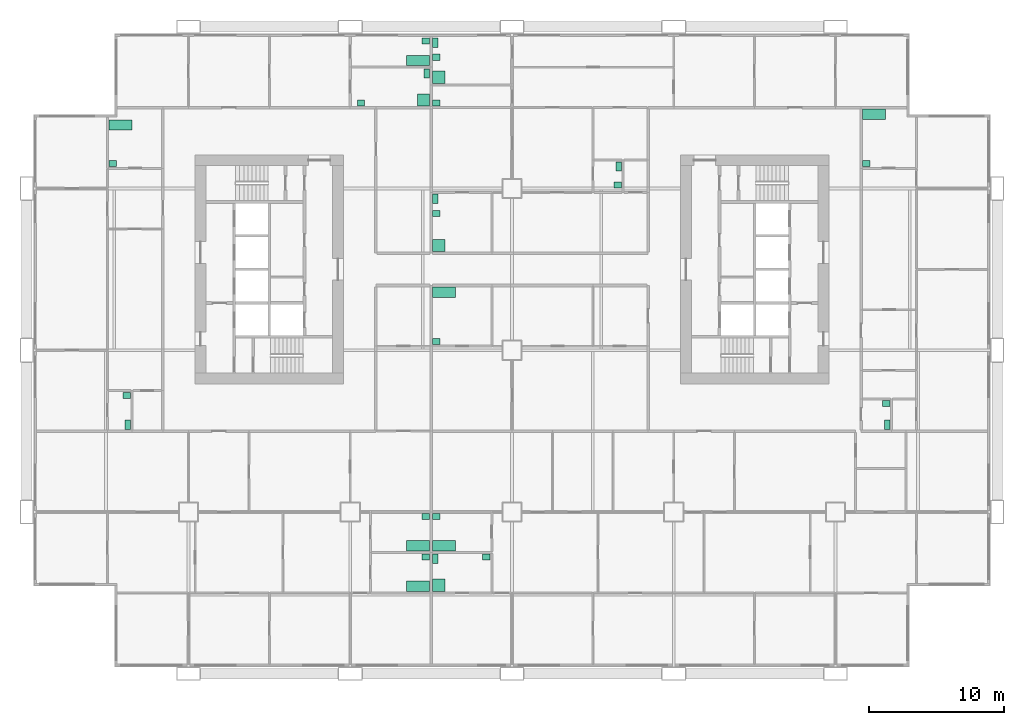
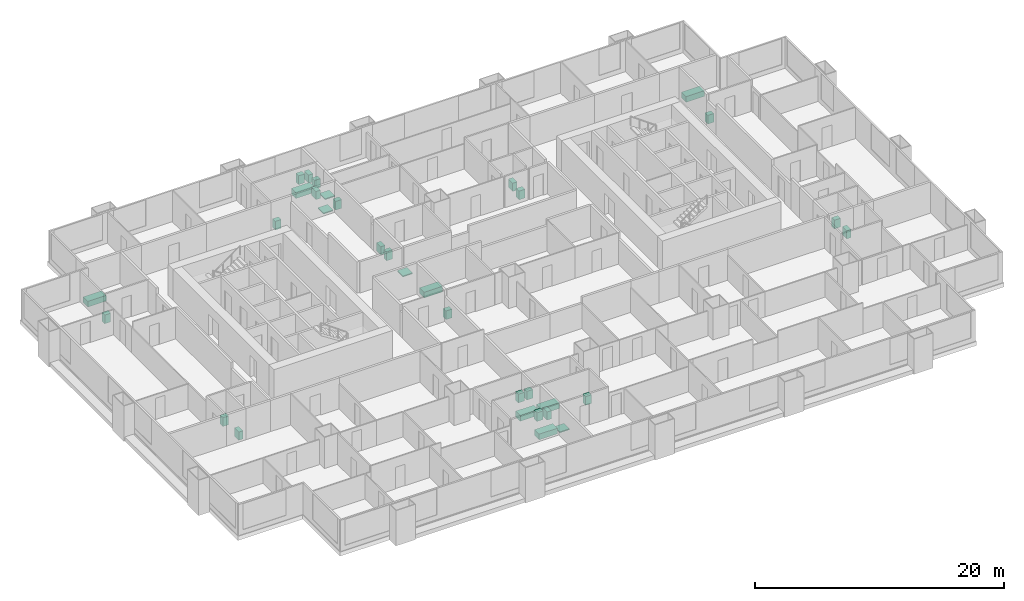
# One storey, part 13 of 13: 33 sanitary terminals.
"""IFC4 building model written with IfcOpenShell, lengths in metres."""

from ifc_helpers import new_model, si_unit, direction, frame, origin, origin_2d, place, context, subcontext, project, spatial, rectangle, extrude, material, type_object, element, save


model = new_model("IFC4")

# Units and contexts
model_context = context("Model", 3, precision=1e-05, world=origin(), true_north=direction((0.0, 1.0)))
body_context = subcontext(model_context, "Body", "Model", "MODEL_VIEW")
ifc_project = project(units=[si_unit("LENGTHUNIT", "METRE"), si_unit("AREAUNIT", "SQUARE_METRE"), si_unit("VOLUMEUNIT", "CUBIC_METRE"), si_unit("PLANEANGLEUNIT", "RADIAN"), si_unit("MASSUNIT", "GRAM", prefix="KILO")], contexts=[model_context])

# Site, building, storey
site_placement = place(None, origin())
site = spatial("IfcSite", under=ifc_project, at=site_placement, CompositionType="ELEMENT")
building_placement = place(site_placement, origin())
building = spatial("IfcBuilding", under=site, at=building_placement, Name="Kitamizu Gate Tower and Museum", CompositionType="ELEMENT")
storey_placement = place(building_placement, frame((0.0, 0.0, 40.35009765625)))
storey = spatial("IfcBuildingStorey", under=building, at=storey_placement, Name="L08", CompositionType="ELEMENT", Elevation=40.35009765625)

# Sanitary terminals
ifc_material_1 = material(Name="Acrylic")
sanitary_terminal_type_1 = type_object("IfcSanitaryTerminalType", Name="Bath", PredefinedType="BATH", material=ifc_material_1)
for number, where, z_axis, x_axis, name in (
    (1, (29.030029296875, 6.4951171875, 0.0009765625), (0.0, 0.0, 1.0), (1.0, 0.0, 0.0), "Bath Bathroom and WC 08A"),
    (2, (29.030029296875, 9.4951171875, 0.0009765625), (0.0, 0.0, 1.0), (1.0, 0.0, 0.0), "Bath Bathroom 08A"),
    (3, (30.969970703125, 9.4951171875, 0.0009765625), (0.0, 0.0, 1.0), (1.0, 0.0, 0.0), "Bath Bathroom 08B"),
    (4, (30.969970703125, 28.304931640625, 0.0009765625), (0.0, 0.0, 1.0), (1.0, 0.0, 0.0), "Bath Bathroom and WC 08C"),
    (5, (29.030029296875, 45.4951171875, 0.0009765625), (0.0, 0.0, 1.0), (1.0, 0.0, 0.0), "Bath Bathroom 08D"),
    (6, (6.969970703125, 40.705078125, 0.0009765625), (0.0, 0.0, 1.0), (1.0, 0.0, 0.0), "Bath Bathroom 08F"),
    (7, (62.8701171875, 41.5048828125, 0.0009765625), (0.0, 0.0, 1.0), (1.0, 0.0, 0.0), "Bath Bathroom 08H"),
):
    element("IfcSanitaryTerminal", number, at=place(storey_placement, frame(where, z_axis=z_axis, x_axis=x_axis)), inside=storey, type_object=sanitary_terminal_type_1, Name=name, PredefinedType="BATH", context=body_context, shape_type="SweptSolid", body=[
        extrude(rectangle(XDim=1.699951171875, YDim=0.75, at=origin_2d()), origin(), (0.0, 0.0, 1.0), 0.550048828125),
    ])
ifc_material_2 = material(Name="Acrylic")
sanitary_terminal_type_2 = type_object("IfcSanitaryTerminalType", Name="Shower tray", PredefinedType="SHOWER", material=ifc_material_2)
for number, where, z_axis, x_axis, name in (
    (8, (30.570068359375, 6.570068359375, 0.000732421875), (0.0, 0.0, 1.0), (1.0, 0.0, 0.0), "Shower tray En-suite bathroom and WC 08B"),
    (9, (29.429931640625, 42.570068359375, 0.000732421875), (0.0, 0.0, 1.0), (1.0, 0.0, 0.0), "Shower tray En-suite bathroom and WC 08D"),
    (10, (30.570068359375, 44.25, 0.000732421875), (0.0, 0.0, 1.0), (1.0, 0.0, 0.0), "Shower tray En-suite bathroom 08G"),
    (11, (30.570068359375, 31.77001953125, 0.000732421875), (0.0, 0.0, 1.0), (1.0, 0.0, 0.0), "Shower tray En-suite bathroom 08G"),
):
    element("IfcSanitaryTerminal", number, at=place(storey_placement, frame(where, z_axis=z_axis, x_axis=x_axis)), inside=storey, type_object=sanitary_terminal_type_2, Name=name, PredefinedType="SHOWER", context=body_context, shape_type="SweptSolid", body=[
        extrude(rectangle(XDim=0.89990234375, YDim=0.89990234375, at=origin_2d()), origin(), (0.0, 0.0, 1.0), 0.10009765625),
    ])
ifc_material_3 = material(Name="Vitreous china")
sanitary_terminal_type_3 = type_object("IfcSanitaryTerminalType", Name="Wash hand basin", PredefinedType="WASHHANDBASIN", material=ifc_material_3)
for number, where, z_axis, x_axis, name in (
    (12, (29.60498046875, 8.655029296875, 0.000732421875), (0.0, 0.0, 1.0), (1.0, 0.0, 0.0), "Wash hand basin Bathroom and WC 08A"),
    (13, (29.60498046875, 11.655029296875, 0.000732421875), (0.0, 0.0, 1.0), (1.0, 0.0, 0.0), "Wash hand basin Bathroom 08A"),
    (14, (34.10498046875, 8.655029296875, 0.000732421875), (0.0, 0.0, 1.0), (1.0, 0.0, 0.0), "Wash hand basin En-suite bathroom and WC 08B"),
    (15, (30.39501953125, 11.655029296875, 0.000732421875), (0.0, 0.0, 1.0), (1.0, 0.0, 0.0), "Wash hand basin Bathroom 08B"),
    (16, (30.39501953125, 24.64501953125, 0.000732421875), (0.0, 0.0, 1.0), (1.0, 0.0, 0.0), "Wash hand basin Bathroom and WC 08C"),
    (17, (24.794921875, 42.344970703125, 0.000732421875), (0.0, 0.0, 1.0), (1.0, 0.0, 0.0), "Wash hand basin En-suite bathroom and WC 08D"),
    (18, (29.60498046875, 46.93505859375, 0.000732421875), (0.0, 0.0, 1.0), (1.0, 0.0, 0.0), "Wash hand basin Bathroom 08D"),
    (19, (7.405029296875, 20.655029296875, 0.000732421875), (0.0, 0.0, 1.0), (1.0, 0.0, 0.0), "Wash hand basin WC 08F"),
    (20, (6.39501953125, 37.844970703125, 0.000732421875), (0.0, 0.0, 1.0), (1.0, 0.0, 0.0), "Wash hand basin Bathroom 08F"),
    (21, (30.39501953125, 45.735107421875, 0.000732421875), (0.0, 0.0, 1.0), (1.0, 0.0, 0.0), "Wash hand basin En-suite bathroom 08G"),
    (22, (30.39501953125, 42.344970703125, 0.000732421875), (0.0, 0.0, 1.0), (1.0, 0.0, 0.0), "Wash hand basin Wash room 08G"),
    (23, (43.85498046875, 36.2451171875, 0.000732421875), (0.0, 0.0, 1.0), (1.0, 0.0, 0.0), "Wash hand basin WC 08G"),
    (24, (30.39501953125, 34.155029296875, 0.000732421875), (0.0, 0.0, 1.0), (1.0, 0.0, 0.0), "Wash hand basin En-suite bathroom 08G"),
    (25, (63.7548828125, 20.054931640625, 0.000732421875), (0.0, 0.0, 1.0), (1.0, 0.0, 0.0), "Wash hand basin WC 08H"),
    (26, (62.294921875, 37.844970703125, 0.000732421875), (0.0, 0.0, 1.0), (1.0, 0.0, 0.0), "Wash hand basin Bathroom 08H"),
):
    element("IfcSanitaryTerminal", number, at=place(storey_placement, frame(where, z_axis=z_axis, x_axis=x_axis)), inside=storey, type_object=sanitary_terminal_type_3, Name=name, PredefinedType="WASHHANDBASIN", context=body_context, shape_type="SweptSolid", body=[
        extrude(rectangle(XDim=0.550048828125, YDim=0.449951171875, at=origin_2d()), origin(), (0.0, 0.0, 1.0), 0.85009765625),
    ])
ifc_material_4 = material(Name="Vitreous china")
sanitary_terminal_type_4 = type_object("IfcSanitaryTerminalType", Name="Water closet", PredefinedType="TOILETPAN", material=ifc_material_4)
for number, where, z_axis, x_axis, name in (
    (27, (30.320068359375, 8.530029296875, 0.0009765625), (0.0, 0.0, 1.0), (1.0, 0.0, 0.0), "Water closet En-suite bathroom and WC 08B"),
    (28, (29.679931640625, 44.530029296875, 0.0009765625), (0.0, 0.0, 1.0), (1.0, 0.0, 0.0), "Water closet En-suite bathroom and WC 08D"),
    (29, (7.47998046875, 18.469970703125, 0.0009765625), (0.0, 0.0, 1.0), (1.0, 0.0, 0.0), "Water closet WC 08F"),
    (30, (30.320068359375, 46.81005859375, 0.0009765625), (0.0, 0.0, 1.0), (1.0, 0.0, 0.0), "Water closet En-suite bathroom 08G"),
    (31, (43.929931640625, 37.6298828125, 0.0009765625), (0.0, 0.0, 1.0), (1.0, 0.0, 0.0), "Water closet WC 08G"),
    (32, (30.320068359375, 35.22998046875, 0.0009765625), (0.0, 0.0, 1.0), (1.0, 0.0, 0.0), "Water closet En-suite bathroom 08G"),
    (33, (63.830078125, 18.469970703125, 0.0009765625), (0.0, 0.0, 1.0), (1.0, 0.0, 0.0), "Water closet WC 08H"),
):
    element("IfcSanitaryTerminal", number, at=place(storey_placement, frame(where, z_axis=z_axis, x_axis=x_axis)), inside=storey, type_object=sanitary_terminal_type_4, Name=name, PredefinedType="TOILETPAN", context=body_context, shape_type="SweptSolid", body=[
        extrude(rectangle(XDim=0.39990234375, YDim=0.699951171875, at=origin_2d()), origin(), (0.0, 0.0, 1.0), 0.800048828125),
    ])

save(model, "model.ifc")
